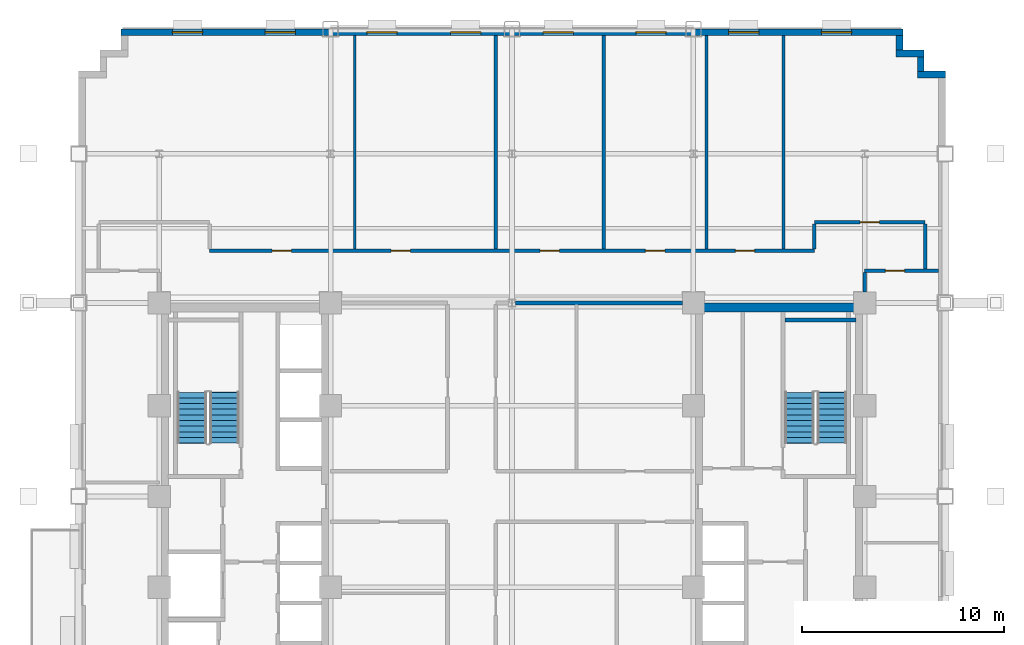
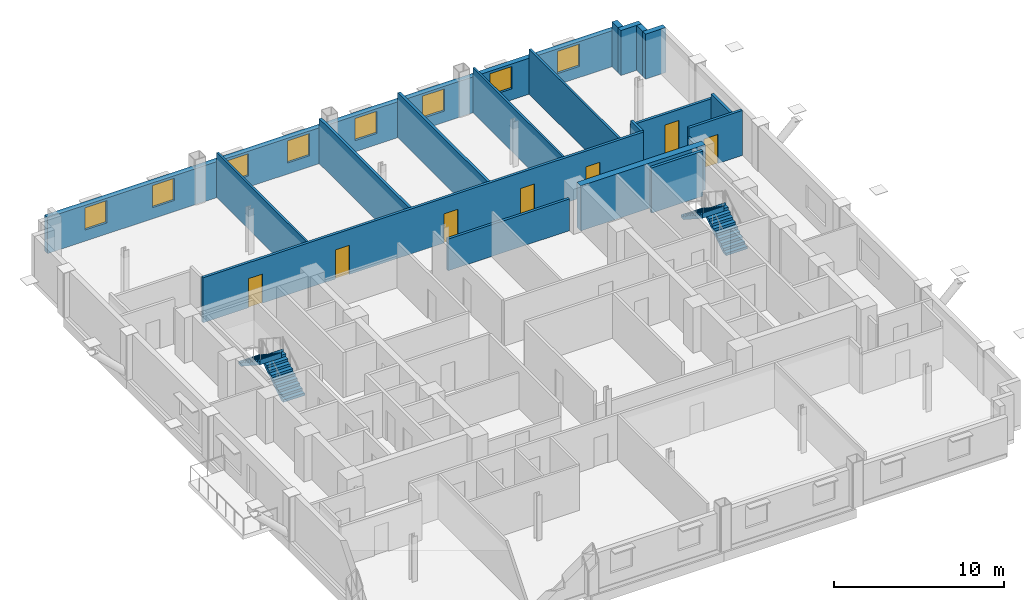
# One storey, part 9 of 13: 19 walls, 8 windows, 7 doors, 4 stair flights, 15 openings, 2 elements without a shape of their own.
"""IFC4 building model written with IfcOpenShell, lengths in metres."""

from ifc_helpers import new_model, si_unit, direction, frame, frame_2d, origin, place, context, subcontext, project, spatial, polyline, rectangle, outline, extrude, source, transform, mapped, material, layer, layer_set, type_object, type_shapes, element, fill, aggregate, save


model = new_model("IFC4")

# Units and contexts
model_context = context("Model", 3, precision=1e-05, world=origin(), true_north=direction((0.0, 1.0)))
body_context = subcontext(model_context, "Body", "Model", "MODEL_VIEW")
ifc_project = project(units=[si_unit("LENGTHUNIT", "METRE"), si_unit("AREAUNIT", "SQUARE_METRE"), si_unit("VOLUMEUNIT", "CUBIC_METRE"), si_unit("PLANEANGLEUNIT", "RADIAN"), si_unit("MASSUNIT", "GRAM", prefix="KILO")], contexts=[model_context])

# Site, building, storey
site_placement = place(None, origin())
site = spatial("IfcSite", under=ifc_project, at=site_placement, CompositionType="ELEMENT")
building_placement = place(site_placement, origin())
building = spatial("IfcBuilding", under=site, at=building_placement, Name="Nuvemarco Arch Tower", CompositionType="ELEMENT")
storey_placement = place(building_placement, frame((0.0, 0.0, 82.35009765625)))
storey = spatial("IfcBuildingStorey", under=building, at=storey_placement, Name="L21", CompositionType="ELEMENT", Elevation=82.35009765625)

# Walls
ifc_material_1 = material(Name="Precast concrete C45/55", Category="concrete")
ifc_layer_1 = layer(ifc_material_1, 0.340087890625, Name="EW-LOW-340")
ifc_layer_set_1 = layer_set([ifc_layer_1], Name="Precast concrete C45/55")
wall_type_1 = type_object("IfcWallType", Name="EW-LOW-340", PredefinedType="STANDARD", material=ifc_layer_set_1)
wall_1_placement = place(storey_placement, frame((20.110107421875, 20.929931640625, 0.0), z_axis=(0.0, 0.0, 1.0), x_axis=(1.0, 0.0, 0.0)))
element("IfcWall", 1, at=wall_1_placement, inside=storey, type_object=wall_type_1, Name="L21 exterior precast facade wall 7", PredefinedType="STANDARD", context=body_context, shape_type="SweptSolid", body=[
    extrude(rectangle(XDim=1.389892578125, YDim=0.340087890625, at=frame_2d((0.69482421875, 0.0))), origin(), (0.0, 0.0, 1.0), 3.239990234375),
])
wall_2_placement = place(storey_placement, frame((20.280029296875, 21.095947265625, 0.0), z_axis=(0.0, 0.0, 1.0), x_axis=(0.0, 1.0, 0.0)))
element("IfcWall", 2, at=wall_2_placement, inside=storey, type_object=wall_type_1, Name="L21 exterior precast facade wall 8", PredefinedType="STANDARD", context=body_context, shape_type="SweptSolid", body=[
    extrude(rectangle(XDim=0.718017578125, YDim=0.340087890625, at=frame_2d((0.35888671875, 0.0))), origin(), (0.0, 0.0, 1.0), 3.239990234375),
])
wall_3_placement = place(storey_placement, frame((19.06005859375, 21.97998046875, 0.0), z_axis=(0.0, 0.0, 1.0), x_axis=(1.0, 0.0, 0.0)))
element("IfcWall", 3, at=wall_3_placement, inside=storey, type_object=wall_type_1, Name="L21 exterior precast facade wall 9", PredefinedType="STANDARD", context=body_context, shape_type="SweptSolid", body=[
    extrude(rectangle(XDim=1.389892578125, YDim=0.340087890625, at=frame_2d((0.69482421875, 0.0))), origin(), (0.0, 0.0, 1.0), 3.239990234375),
])
wall_4_placement = place(storey_placement, frame((19.22998046875, 22.14599609375, 0.0), z_axis=(0.0, 0.0, 1.0), x_axis=(0.0, 1.0, 0.0)))
element("IfcWall", 4, at=wall_4_placement, inside=storey, type_object=wall_type_1, Name="L21 exterior precast facade wall 10", PredefinedType="STANDARD", context=body_context, shape_type="SweptSolid", body=[
    extrude(rectangle(XDim=0.718017578125, YDim=0.340087890625, at=frame_2d((0.35888671875, 0.0))), origin(), (0.0, 0.0, 1.0), 3.239990234375),
])

# Wall, openings, windows
wall_5_placement = place(storey_placement, frame((-19.39990234375, 23.030029296875, 0.0), z_axis=(0.0, 0.0, 1.0), x_axis=(1.0, 0.0, 0.0)))
wall_5 = element("IfcWall", 5, at=wall_5_placement, inside=storey, type_object=wall_type_1, Name="L21 exterior precast facade wall 11", PredefinedType="STANDARD", context=body_context, shape_type="SweptSolid", body=[
    extrude(rectangle(XDim=38.7998046875, YDim=0.340087890625, at=frame_2d((19.39990234375, 0.0))), origin(), (0.0, 0.0, 1.0), 2.5849609375),
])
opening_1_placement = place(wall_5_placement, frame((2.550048828125, 0.0, 0.800048828125)))
opening_1 = element("IfcOpeningElement", 6, at=opening_1_placement, cuts=wall_5, Name="Opening WN-11", PredefinedType="OPENING", context=body_context, shape_type="SweptSolid", body=[
    extrude(rectangle(XDim=1.5, YDim=1.60009765625, at=frame_2d((0.75, 0.800048828125))), frame((0.0, 0.179931640625, 0.0), z_axis=(0.0, -1.0, 0.0), x_axis=(1.0, 0.0, 0.0)), (0.0, 0.0, 1.0), 0.360107421875),
])
opening_2_placement = place(wall_5_placement, frame((7.14990234375, 0.0, 0.800048828125)))
opening_2 = element("IfcOpeningElement", 7, at=opening_2_placement, cuts=wall_5, Name="Opening WN-11", PredefinedType="OPENING", context=body_context, shape_type="SweptSolid", body=[
    extrude(rectangle(XDim=1.5, YDim=1.60009765625, at=frame_2d((0.75, 0.800048828125))), frame((0.0, 0.179931640625, 0.0), z_axis=(0.0, -1.0, 0.0), x_axis=(1.0, 0.0, 0.0)), (0.0, 0.0, 1.0), 0.360107421875),
])
opening_3_placement = place(wall_5_placement, frame((12.199951171875, 0.0, 0.800048828125)))
opening_3 = element("IfcOpeningElement", 8, at=opening_3_placement, cuts=wall_5, Name="Opening WN-11", PredefinedType="OPENING", context=body_context, shape_type="SweptSolid", body=[
    extrude(rectangle(XDim=1.5, YDim=1.60009765625, at=frame_2d((0.75, 0.800048828125))), frame((0.0, 0.179931640625, 0.0), z_axis=(0.0, -1.0, 0.0), x_axis=(1.0, 0.0, 0.0)), (0.0, 0.0, 1.0), 0.360107421875),
])
opening_4_placement = place(wall_5_placement, frame((16.35009765625, 0.0, 0.800048828125)))
opening_4 = element("IfcOpeningElement", 9, at=opening_4_placement, cuts=wall_5, Name="Opening WN-11", PredefinedType="OPENING", context=body_context, shape_type="SweptSolid", body=[
    extrude(rectangle(XDim=1.5, YDim=1.60009765625, at=frame_2d((0.75, 0.800048828125))), frame((0.0, 0.179931640625, 0.0), z_axis=(0.0, -1.0, 0.0), x_axis=(1.0, 0.0, 0.0)), (0.0, 0.0, 1.0), 0.360107421875),
])
opening_5_placement = place(wall_5_placement, frame((20.949951171875, 0.0, 0.800048828125)))
opening_5 = element("IfcOpeningElement", 10, at=opening_5_placement, cuts=wall_5, Name="Opening WN-11", PredefinedType="OPENING", context=body_context, shape_type="SweptSolid", body=[
    extrude(rectangle(XDim=1.5, YDim=1.60009765625, at=frame_2d((0.75, 0.800048828125))), frame((0.0, 0.179931640625, 0.0), z_axis=(0.0, -1.0, 0.0), x_axis=(1.0, 0.0, 0.0)), (0.0, 0.0, 1.0), 0.360107421875),
])
opening_6_placement = place(wall_5_placement, frame((25.550048828125, 0.0, 0.800048828125)))
opening_6 = element("IfcOpeningElement", 11, at=opening_6_placement, cuts=wall_5, Name="Opening WN-11", PredefinedType="OPENING", context=body_context, shape_type="SweptSolid", body=[
    extrude(rectangle(XDim=1.5, YDim=1.60009765625, at=frame_2d((0.75, 0.800048828125))), frame((0.0, 0.179931640625, 0.0), z_axis=(0.0, -1.0, 0.0), x_axis=(1.0, 0.0, 0.0)), (0.0, 0.0, 1.0), 0.360107421875),
])
opening_7_placement = place(wall_5_placement, frame((30.14990234375, 0.0, 0.800048828125)))
opening_7 = element("IfcOpeningElement", 12, at=opening_7_placement, cuts=wall_5, Name="Opening WN-11", PredefinedType="OPENING", context=body_context, shape_type="SweptSolid", body=[
    extrude(rectangle(XDim=1.5, YDim=1.60009765625, at=frame_2d((0.75, 0.800048828125))), frame((0.0, 0.179931640625, 0.0), z_axis=(0.0, -1.0, 0.0), x_axis=(1.0, 0.0, 0.0)), (0.0, 0.0, 1.0), 0.360107421875),
])
opening_8_placement = place(wall_5_placement, frame((34.75, 0.0, 0.800048828125)))
opening_8 = element("IfcOpeningElement", 13, at=opening_8_placement, cuts=wall_5, Name="Opening WN-11", PredefinedType="OPENING", context=body_context, shape_type="SweptSolid", body=[
    extrude(rectangle(XDim=1.5, YDim=1.60009765625, at=frame_2d((0.75, 0.800048828125))), frame((0.0, 0.179931640625, 0.0), z_axis=(0.0, -1.0, 0.0), x_axis=(1.0, 0.0, 0.0)), (0.0, 0.0, 1.0), 0.360107421875),
])
ifc_material_2 = material(Name="Insulated solar-control glass", Category="glass")
window_type = type_object("IfcWindowType", Name="WN-STEP-1500x1850", PartitioningType="SINGLE_PANEL", PredefinedType="WINDOW", material=ifc_material_2)
shared_shape_1 = source(origin(), body_context, "Body", "SweptSolid", [
    extrude(rectangle(XDim=1.5, YDim=1.60009765625, at=frame_2d((0.75, 0.800048828125))), frame((0.0, 0.030029296875, 0.0), z_axis=(0.0, -1.0, 0.0), x_axis=(1.0, 0.0, 0.0)), (0.0, 0.0, 1.0), 0.06005859375),
])
type_shapes(window_type, [shared_shape_1])
window_1_placement = place(opening_1_placement, origin())
window_1 = element("IfcWindow", 14, at=window_1_placement, inside=storey, type_object=window_type, Name="L21 punched facade window 1", OverallHeight=1.60009765625, OverallWidth=1.5, PartitioningType="SINGLE_PANEL", PredefinedType="WINDOW", context=body_context, shape_type="MappedRepresentation", body=[
    mapped(shared_shape_1, transform((0.0, 0.0, 0.0), scale=1.0)),
])
fill(opening_1, window_1)
window_2_placement = place(opening_2_placement, origin())
window_2 = element("IfcWindow", 15, at=window_2_placement, inside=storey, type_object=window_type, Name="L21 punched facade window 2", OverallHeight=1.60009765625, OverallWidth=1.5, PartitioningType="SINGLE_PANEL", PredefinedType="WINDOW", context=body_context, shape_type="MappedRepresentation", body=[
    mapped(shared_shape_1, transform((0.0, 0.0, 0.0), scale=1.0)),
])
fill(opening_2, window_2)
window_3_placement = place(opening_3_placement, origin())
window_3 = element("IfcWindow", 16, at=window_3_placement, inside=storey, type_object=window_type, Name="L21 punched facade window 3", OverallHeight=1.60009765625, OverallWidth=1.5, PartitioningType="SINGLE_PANEL", PredefinedType="WINDOW", context=body_context, shape_type="MappedRepresentation", body=[
    mapped(shared_shape_1, transform((0.0, 0.0, 0.0), scale=1.0)),
])
fill(opening_3, window_3)
window_4_placement = place(opening_4_placement, origin())
window_4 = element("IfcWindow", 17, at=window_4_placement, inside=storey, type_object=window_type, Name="L21 punched facade window 4", OverallHeight=1.60009765625, OverallWidth=1.5, PartitioningType="SINGLE_PANEL", PredefinedType="WINDOW", context=body_context, shape_type="MappedRepresentation", body=[
    mapped(shared_shape_1, transform((0.0, 0.0, 0.0), scale=1.0)),
])
fill(opening_4, window_4)
window_5_placement = place(opening_5_placement, origin())
window_5 = element("IfcWindow", 18, at=window_5_placement, inside=storey, type_object=window_type, Name="L21 punched facade window 5", OverallHeight=1.60009765625, OverallWidth=1.5, PartitioningType="SINGLE_PANEL", PredefinedType="WINDOW", context=body_context, shape_type="MappedRepresentation", body=[
    mapped(shared_shape_1, transform((0.0, 0.0, 0.0), scale=1.0)),
])
fill(opening_5, window_5)
window_6_placement = place(opening_6_placement, origin())
window_6 = element("IfcWindow", 19, at=window_6_placement, inside=storey, type_object=window_type, Name="L21 punched facade window 6", OverallHeight=1.60009765625, OverallWidth=1.5, PartitioningType="SINGLE_PANEL", PredefinedType="WINDOW", context=body_context, shape_type="MappedRepresentation", body=[
    mapped(shared_shape_1, transform((0.0, 0.0, 0.0), scale=1.0)),
])
fill(opening_6, window_6)
window_7_placement = place(opening_7_placement, origin())
window_7 = element("IfcWindow", 20, at=window_7_placement, inside=storey, type_object=window_type, Name="L21 punched facade window 7", OverallHeight=1.60009765625, OverallWidth=1.5, PartitioningType="SINGLE_PANEL", PredefinedType="WINDOW", context=body_context, shape_type="MappedRepresentation", body=[
    mapped(shared_shape_1, transform((0.0, 0.0, 0.0), scale=1.0)),
])
fill(opening_7, window_7)
window_8_placement = place(opening_8_placement, origin())
window_8 = element("IfcWindow", 21, at=window_8_placement, inside=storey, type_object=window_type, Name="L21 punched facade window 8", OverallHeight=1.60009765625, OverallWidth=1.5, PartitioningType="SINGLE_PANEL", PredefinedType="WINDOW", context=body_context, shape_type="MappedRepresentation", body=[
    mapped(shared_shape_1, transform((0.0, 0.0, 0.0), scale=1.0)),
])
fill(opening_8, window_8)

# Walls
ifc_material_3 = material(Name="Concrete C60/75", Category="concrete")
ifc_layer_2 = layer(ifc_material_3, 0.449951171875, Name="WL-CORE-450")
ifc_layer_set_2 = layer_set([ifc_layer_2], Name="Concrete C60/75")
wall_type_2 = type_object("IfcWallType", Name="WL-CORE-450", PredefinedType="SHEAR", material=ifc_layer_set_2)
wall_6_placement = place(storey_placement, frame((9.0, 9.375, 0.0), z_axis=(0.0, 0.0, 1.0), x_axis=(1.0, 0.0, 0.0)))
element("IfcWall", 22, at=wall_6_placement, inside=storey, type_object=wall_type_2, Name="L21 E-core shear wall N", PredefinedType="SHEAR", context=body_context, shape_type="SweptSolid", body=[
    extrude(rectangle(XDim=8.5, YDim=0.449951171875, at=frame_2d((4.25, 0.0))), origin(), (0.0, 0.0, 1.0), 3.25),
])
ifc_material_4 = material(Name="Fire-rated gypsum drywall partition")
ifc_layer_3 = layer(ifc_material_4, 0.179931640625, Name="WL-CORR-180")
ifc_layer_set_3 = layer_set([ifc_layer_3], Name="Fire-rated gypsum drywall partition")
wall_type_3 = type_object("IfcWallType", Name="WL-CORR-180", PredefinedType="PARTITIONING", material=ifc_layer_set_3)
wall_7_placement = place(storey_placement, frame((0.176025390625, 9.60009765625, 0.0), z_axis=(0.0, 0.0, 1.0), x_axis=(1.0, 0.0, 0.0)))
element("IfcWall", 23, at=wall_7_placement, inside=storey, type_object=wall_type_3, Name="L21 interior wall IW-L21-019", PredefinedType="PARTITIONING", context=body_context, shape_type="SweptSolid", body=[
    extrude(rectangle(XDim=8.278076171875, YDim=0.179931640625, at=frame_2d((4.13916015625, 0.0))), origin(), (0.0, 0.0, 1.0), 2.284912109375),
])

# Wall, opening, door
wall_8_placement = place(storey_placement, frame((17.5, 11.199951171875, 0.0), z_axis=(0.0, 0.0, 1.0), x_axis=(1.0, 0.0, 0.0)))
wall_8 = element("IfcWall", 24, at=wall_8_placement, inside=storey, type_object=wall_type_3, Name="L21 interior wall IW-L21-021", PredefinedType="PARTITIONING", context=body_context, shape_type="SweptSolid", body=[
    extrude(rectangle(XDim=3.659912109375, YDim=0.179931640625, at=frame_2d((1.830078125, 0.0))), origin(), (0.0, 0.0, 1.0), 3.239990234375),
])
opening_9_placement = place(wall_8_placement, frame((1.02001953125, 0.0, 0.0)))
opening_9 = element("IfcOpeningElement", 25, at=opening_9_placement, cuts=wall_8, Name="Opening FD-5", PredefinedType="OPENING", context=body_context, shape_type="SweptSolid", body=[
    extrude(rectangle(XDim=0.9599609375, YDim=2.10009765625, at=frame_2d((0.47998046875, 1.050048828125))), frame((0.0, 0.099853515625, 0.0), z_axis=(0.0, -1.0, 0.0), x_axis=(1.0, 0.0, 0.0)), (0.0, 0.0, 1.0), 0.199951171875),
])
ifc_material_5 = material(Name="Timber fire door", Category="wood")
door_type = type_object("IfcDoorType", Name="DR-CORR-FD", OperationType="NOTDEFINED", PredefinedType="DOOR", material=ifc_material_5)
shared_shape_2 = source(origin(), body_context, "Body", "SweptSolid", [
    extrude(rectangle(XDim=0.9599609375, YDim=2.10009765625, at=frame_2d((0.47998046875, 1.050048828125))), frame((0.0, 0.02490234375, 0.0), z_axis=(0.0, -1.0, 0.0), x_axis=(1.0, 0.0, 0.0)), (0.0, 0.0, 1.0), 0.050048828125),
])
type_shapes(door_type, [shared_shape_2])
door_1_placement = place(opening_9_placement, origin())
door_1 = element("IfcDoor", 26, at=door_1_placement, inside=storey, type_object=door_type, Name="L21 door DR-L21-E_2", OperationType="SINGLE_SWING_RIGHT", OverallHeight=2.10009765625, OverallWidth=0.9599609375, PredefinedType="DOOR", context=body_context, shape_type="MappedRepresentation", body=[
    mapped(shared_shape_2, transform((0.0, 0.0, 0.0), scale=1.0)),
])
fill(opening_9, door_1)

# Wall, openings, doors
wall_9_placement = place(storey_placement, frame((-15.0, 12.199951171875, 0.0), z_axis=(0.0, 0.0, 1.0), x_axis=(1.0, 0.0, 0.0)))
wall_9 = element("IfcWall", 27, at=wall_9_placement, inside=storey, type_object=wall_type_3, Name="L21 interior wall IW-L21-022", PredefinedType="PARTITIONING", context=body_context, shape_type="SweptSolid", body=[
    extrude(rectangle(XDim=30.0, YDim=0.179931640625, at=frame_2d((15.0, 0.0))), origin(), (0.0, 0.0, 1.0), 3.239990234375),
])
opening_10_placement = place(wall_9_placement, frame((3.10009765625, 0.0, 0.0)))
opening_10 = element("IfcOpeningElement", 28, at=opening_10_placement, cuts=wall_9, Name="Opening FD-5", PredefinedType="OPENING", context=body_context, shape_type="SweptSolid", body=[
    extrude(rectangle(XDim=0.9599609375, YDim=2.10009765625, at=frame_2d((0.47998046875, 1.050048828125))), frame((0.0, 0.099853515625, 0.0), z_axis=(0.0, -1.0, 0.0), x_axis=(1.0, 0.0, 0.0)), (0.0, 0.0, 1.0), 0.199951171875),
])
opening_11_placement = place(wall_9_placement, frame((16.39501953125, 0.0, 0.0)))
opening_11 = element("IfcOpeningElement", 29, at=opening_11_placement, cuts=wall_9, Name="Opening FD-5", PredefinedType="OPENING", context=body_context, shape_type="SweptSolid", body=[
    extrude(rectangle(XDim=0.9599609375, YDim=2.10009765625, at=frame_2d((0.47998046875, 1.050048828125))), frame((0.0, 0.099853515625, 0.0), z_axis=(0.0, -1.0, 0.0), x_axis=(1.0, 0.0, 0.0)), (0.0, 0.0, 1.0), 0.199951171875),
])
opening_12_placement = place(wall_9_placement, frame((21.6201171875, 0.0, 0.0)))
opening_12 = element("IfcOpeningElement", 30, at=opening_12_placement, cuts=wall_9, Name="Opening FD-5", PredefinedType="OPENING", context=body_context, shape_type="SweptSolid", body=[
    extrude(rectangle(XDim=0.9599609375, YDim=2.10009765625, at=frame_2d((0.47998046875, 1.050048828125))), frame((0.0, 0.099853515625, 0.0), z_axis=(0.0, -1.0, 0.0), x_axis=(1.0, 0.0, 0.0)), (0.0, 0.0, 1.0), 0.199951171875),
])
opening_13_placement = place(wall_9_placement, frame((9.0, 0.0, 0.0)))
opening_13 = element("IfcOpeningElement", 31, at=opening_13_placement, cuts=wall_9, Name="Opening FD-5", PredefinedType="OPENING", context=body_context, shape_type="SweptSolid", body=[
    extrude(rectangle(XDim=0.9599609375, YDim=2.10009765625, at=frame_2d((0.47998046875, 1.050048828125))), frame((0.0, 0.099853515625, 0.0), z_axis=(0.0, -1.0, 0.0), x_axis=(1.0, 0.0, 0.0)), (0.0, 0.0, 1.0), 0.199951171875),
])
opening_14_placement = place(wall_9_placement, frame((26.080078125, 0.0, 0.0)))
opening_14 = element("IfcOpeningElement", 32, at=opening_14_placement, cuts=wall_9, Name="Opening FD-5", PredefinedType="OPENING", context=body_context, shape_type="SweptSolid", body=[
    extrude(rectangle(XDim=0.9599609375, YDim=2.10009765625, at=frame_2d((0.47998046875, 1.050048828125))), frame((0.0, 0.099853515625, 0.0), z_axis=(0.0, -1.0, 0.0), x_axis=(1.0, 0.0, 0.0)), (0.0, 0.0, 1.0), 0.199951171875),
])
door_2_placement = place(opening_10_placement, origin())
door_2 = element("IfcDoor", 33, at=door_2_placement, inside=storey, type_object=door_type, Name="L21 door DR-L21-N_1", OperationType="SINGLE_SWING_LEFT", OverallHeight=2.10009765625, OverallWidth=0.9599609375, PredefinedType="DOOR", context=body_context, shape_type="MappedRepresentation", body=[
    mapped(shared_shape_2, transform((0.0, 0.0, 0.0), scale=1.0)),
])
fill(opening_10, door_2)
door_3_placement = place(opening_11_placement, origin())
door_3 = element("IfcDoor", 34, at=door_3_placement, inside=storey, type_object=door_type, Name="L21 door DR-L21-N_3", OperationType="SINGLE_SWING_LEFT", OverallHeight=2.10009765625, OverallWidth=0.9599609375, PredefinedType="DOOR", context=body_context, shape_type="MappedRepresentation", body=[
    mapped(shared_shape_2, transform((0.0, 0.0, 0.0), scale=1.0)),
])
fill(opening_11, door_3)
door_4_placement = place(opening_12_placement, origin())
door_4 = element("IfcDoor", 35, at=door_4_placement, inside=storey, type_object=door_type, Name="L21 door DR-L21-N_4", OperationType="SINGLE_SWING_LEFT", OverallHeight=2.10009765625, OverallWidth=0.9599609375, PredefinedType="DOOR", context=body_context, shape_type="MappedRepresentation", body=[
    mapped(shared_shape_2, transform((0.0, 0.0, 0.0), scale=1.0)),
])
fill(opening_12, door_4)
door_5_placement = place(opening_13_placement, origin())
door_5 = element("IfcDoor", 36, at=door_5_placement, inside=storey, type_object=door_type, Name="L21 door DR-L21-N_2", OperationType="SINGLE_SWING_RIGHT", OverallHeight=2.10009765625, OverallWidth=0.9599609375, PredefinedType="DOOR", context=body_context, shape_type="MappedRepresentation", body=[
    mapped(shared_shape_2, transform((0.0, 0.0, 0.0), scale=1.0)),
])
fill(opening_13, door_5)
door_6_placement = place(opening_14_placement, origin())
door_6 = element("IfcDoor", 37, at=door_6_placement, inside=storey, type_object=door_type, Name="L21 door DR-L21-N_5", OperationType="SINGLE_SWING_LEFT", OverallHeight=2.10009765625, OverallWidth=0.9599609375, PredefinedType="DOOR", context=body_context, shape_type="MappedRepresentation", body=[
    mapped(shared_shape_2, transform((0.0, 0.0, 0.0), scale=1.0)),
])
fill(opening_14, door_6)

# Wall, opening, door
wall_10_placement = place(storey_placement, frame((15.0, 13.60009765625, 0.0), z_axis=(0.0, 0.0, 1.0), x_axis=(1.0, 0.0, 0.0)))
wall_10 = element("IfcWall", 38, at=wall_10_placement, inside=storey, type_object=wall_type_3, Name="L21 interior wall IW-L21-024", PredefinedType="PARTITIONING", context=body_context, shape_type="SweptSolid", body=[
    extrude(rectangle(XDim=5.5, YDim=0.179931640625, at=frame_2d((2.75, 0.0))), origin(), (0.0, 0.0, 1.0), 2.8779296875),
])
opening_15_placement = place(wall_10_placement, frame((2.27001953125, 0.0, 0.0)))
opening_15 = element("IfcOpeningElement", 39, at=opening_15_placement, cuts=wall_10, Name="Opening FD-5", PredefinedType="OPENING", context=body_context, shape_type="SweptSolid", body=[
    extrude(rectangle(XDim=0.9599609375, YDim=2.10009765625, at=frame_2d((0.47998046875, 1.050048828125))), frame((0.0, 0.099853515625, 0.0), z_axis=(0.0, -1.0, 0.0), x_axis=(1.0, 0.0, 0.0)), (0.0, 0.0, 1.0), 0.199951171875),
])
door_7_placement = place(opening_15_placement, origin())
door_7 = element("IfcDoor", 40, at=door_7_placement, inside=storey, type_object=door_type, Name="L21 door DR-L21-N_6", OperationType="SINGLE_SWING_RIGHT", OverallHeight=2.10009765625, OverallWidth=0.9599609375, PredefinedType="DOOR", context=body_context, shape_type="MappedRepresentation", body=[
    mapped(shared_shape_2, transform((0.0, 0.0, 0.0), scale=1.0)),
])
fill(opening_15, door_7)

# Walls
for number, where, z_axis, x_axis, name in (
    (41, (-0.800048828125, 12.285888671875, 0.0), (0.0, 0.0, 1.0), (0.0, 1.0, 0.0), "L21 interior wall IW-L21-041"),
    (42, (4.550048828125, 12.285888671875, 0.0), (0.0, 0.0, 1.0), (0.0, 1.0, 0.0), "L21 interior wall IW-L21-043"),
):
    element("IfcWall", number, at=place(storey_placement, frame(where, z_axis=z_axis, x_axis=x_axis)), inside=storey, type_object=wall_type_3, Name=name, PredefinedType="PARTITIONING", context=body_context, shape_type="SweptSolid", body=[
        extrude(rectangle(XDim=10.57421875, YDim=0.179931640625, at=frame_2d((5.287109375, 0.0))), origin(), (0.0, 0.0, 1.0), 3.239990234375),
    ])
wall_11_placement = place(storey_placement, frame((15.0, 12.285888671875, 0.0), z_axis=(0.0, 0.0, 1.0), x_axis=(0.0, 1.0, 0.0)))
element("IfcWall", 43, at=wall_11_placement, inside=storey, type_object=wall_type_3, Name="L21 interior wall IW-L21-049", PredefinedType="PARTITIONING", context=body_context, shape_type="SweptSolid", body=[
    extrude(rectangle(XDim=1.22802734375, YDim=0.179931640625, at=frame_2d((0.614013671875, 0.0))), origin(), (0.0, 0.0, 1.0), 3.239990234375),
])
wall_12_placement = place(storey_placement, frame((17.5, 10.14599609375, 0.0), z_axis=(0.0, 0.0, 1.0), x_axis=(0.0, 1.0, 0.0)))
element("IfcWall", 44, at=wall_12_placement, inside=storey, type_object=wall_type_3, Name="L21 interior wall IW-L21-051", PredefinedType="PARTITIONING", context=body_context, shape_type="SweptSolid", body=[
    extrude(rectangle(XDim=0.968017578125, YDim=0.179931640625, at=frame_2d((0.48388671875, 0.0))), origin(), (0.0, 0.0, 1.0), 2.617919921875),
])
wall_13_placement = place(storey_placement, frame((20.5, 11.285888671875, 0.0), z_axis=(0.0, 0.0, 1.0), x_axis=(0.0, 1.0, 0.0)))
element("IfcWall", 45, at=wall_13_placement, inside=storey, type_object=wall_type_3, Name="L21 interior wall IW-L21-053", PredefinedType="PARTITIONING", context=body_context, shape_type="SweptSolid", body=[
    extrude(rectangle(XDim=2.22802734375, YDim=0.179931640625, at=frame_2d((1.114013671875, 0.0))), origin(), (0.0, 0.0, 1.0), 3.239990234375),
])
ifc_material_6 = material(Name="Gypsum plasterboard partition")
ifc_layer_4 = layer(ifc_material_6, 0.139892578125, Name="WL-ROOM-140")
ifc_layer_set_4 = layer_set([ifc_layer_4], Name="Gypsum plasterboard partition")
wall_type_4 = type_object("IfcWallType", Name="WL-ROOM-140", PredefinedType="PARTITIONING", material=ifc_layer_set_4)
for number, where, z_axis, x_axis, name in (
    (46, (-7.800048828125, 12.285888671875, 0.0), (0.0, 0.0, 1.0), (0.0, 1.0, 0.0), "L21 interior wall IW-L21-034"),
    (47, (9.64990234375, 12.285888671875, 0.0), (0.0, 0.0, 1.0), (0.0, 1.0, 0.0), "L21 interior wall IW-L21-045"),
    (48, (13.469970703125, 12.285888671875, 0.0), (0.0, 0.0, 1.0), (0.0, 1.0, 0.0), "L21 interior wall IW-L21-047"),
):
    element("IfcWall", number, at=place(storey_placement, frame(where, z_axis=z_axis, x_axis=x_axis)), inside=storey, type_object=wall_type_4, Name=name, PredefinedType="PARTITIONING", context=body_context, shape_type="SweptSolid", body=[
        extrude(rectangle(XDim=10.57421875, YDim=0.139892578125, at=frame_2d((5.287109375, 0.0))), origin(), (0.0, 0.0, 1.0), 3.239990234375),
    ])
ifc_material_7 = material(Name="Concrete C50/60", Category="concrete")
ifc_layer_5 = layer(ifc_material_7, 0.199951171875, Name="WL-SHAFT-220")
ifc_layer_set_5 = layer_set([ifc_layer_5], Name="Concrete C50/60")
wall_type_5 = type_object("IfcWallType", Name="WL-SHAFT-220", PredefinedType="SHEAR", material=ifc_layer_set_5)
wall_14_placement = place(storey_placement, frame((13.534912109375, 8.75, 0.0), z_axis=(0.0, 0.0, 1.0), x_axis=(1.0, 0.0, 0.0)))
element("IfcWall", 49, at=wall_14_placement, inside=storey, type_object=wall_type_5, Name="L21 structural shaft wall SW-L21-E-ST2N", PredefinedType="SHEAR", context=body_context, shape_type="SweptSolid", body=[
    extrude(rectangle(XDim=3.52001953125, YDim=0.199951171875, at=frame_2d((1.760009765625, 0.0))), origin(), (0.0, 0.0, 1.0), 3.25),
])

# Stair, stair flights
stair_type = type_object("IfcStairType", Name="ST-CORE-20R", PredefinedType="HALF_TURN_STAIR", material=ifc_material_1)
stair_1_placement = place(storey_placement, origin())
stair_1 = element("IfcStair", 50, at=stair_1_placement, inside=storey, type_object=stair_type, Name="L21 Protected Exit Stair ST-1", PredefinedType="HALF_TURN_STAIR")
stair_flight_type = type_object("IfcStairFlightType", Name="SF-CORE-20R", PredefinedType="STRAIGHT", material=ifc_material_1)
stair_flight_1_placement = place(storey_placement, frame((-14.264892578125, 2.64990234375, 0.0), z_axis=(0.0, 0.0, 1.0), x_axis=(0.0, 1.0, 0.0)))
stair_flight_1 = element("IfcStairFlight", 51, at=stair_flight_1_placement, type_object=stair_flight_type, Name="ST-20R flight 1", NumberOfRisers=10, NumberOfTreads=9, PredefinedType="STRAIGHT", RiserHeight=0.1825, TreadLength=0.28, context=body_context, shape_type="SweptSolid", body=[
    extrude(outline(polyline([(0.0, 0.0), (0.0, 0.1826171875), (0.280029296875, 0.1826171875), (0.280029296875, 0.364990234375), (0.56005859375, 0.364990234375), (0.56005859375, 0.547607421875), (0.840087890625, 0.547607421875), (0.840087890625, 0.72998046875), (1.1201171875, 0.72998046875), (1.1201171875, 0.91259765625), (1.39990234375, 0.91259765625), (1.39990234375, 1.094970703125), (1.679931640625, 1.094970703125), (1.679931640625, 1.277587890625), (1.9599609375, 1.277587890625), (1.9599609375, 1.4599609375), (2.239990234375, 1.4599609375), (2.239990234375, 1.642578125), (2.52001953125, 1.642578125), (2.52001953125, 1.824951171875), (2.5400390625, 1.824951171875), (2.5400390625, 1.45166015625), (0.312744140625, 0.0), (0.0, 0.0)])), frame((0.0, 0.72509765625, 0.0), z_axis=(0.0, -1.0, 0.0), x_axis=(1.0, 0.0, 0.0)), (0.0, 0.0, 1.0), 1.449951171875),
])
stair_flight_2_placement = place(storey_placement, frame((-15.875, 5.169921875, 1.824951171875), z_axis=(0.0, 0.0, 1.0), x_axis=(0.0, -1.0, 0.0)))
stair_flight_2 = element("IfcStairFlight", 52, at=stair_flight_2_placement, type_object=stair_flight_type, Name="ST-20R flight 2", NumberOfRisers=10, NumberOfTreads=9, PredefinedType="STRAIGHT", RiserHeight=0.1825, TreadLength=0.28, context=body_context, shape_type="SweptSolid", body=[
    extrude(outline(polyline([(0.0, 0.0), (0.0, 0.1826171875), (0.280029296875, 0.1826171875), (0.280029296875, 0.364990234375), (0.56005859375, 0.364990234375), (0.56005859375, 0.547607421875), (0.840087890625, 0.547607421875), (0.840087890625, 0.72998046875), (1.1201171875, 0.72998046875), (1.1201171875, 0.91259765625), (1.39990234375, 0.91259765625), (1.39990234375, 1.094970703125), (1.679931640625, 1.094970703125), (1.679931640625, 1.277587890625), (1.9599609375, 1.277587890625), (1.9599609375, 1.4599609375), (2.239990234375, 1.4599609375), (2.239990234375, 1.642578125), (2.52001953125, 1.642578125), (2.52001953125, 1.824951171875), (2.5400390625, 1.824951171875), (2.5400390625, 1.45166015625), (0.312744140625, 0.0), (0.0, 0.0)])), frame((0.0, 0.72509765625, 0.0), z_axis=(0.0, -1.0, 0.0), x_axis=(1.0, 0.0, 0.0)), (0.0, 0.0, 1.0), 1.449951171875),
])
aggregate(stair_1, [stair_flight_1, stair_flight_2])

stair_2_placement = place(storey_placement, origin())
stair_2 = element("IfcStair", 53, at=stair_2_placement, inside=storey, type_object=stair_type, Name="L21 Protected Exit Stair ST-2", PredefinedType="HALF_TURN_STAIR")
stair_flight_3_placement = place(storey_placement, frame((15.875, 2.64990234375, 0.0), z_axis=(0.0, 0.0, 1.0), x_axis=(0.0, 1.0, 0.0)))
stair_flight_3 = element("IfcStairFlight", 54, at=stair_flight_3_placement, type_object=stair_flight_type, Name="ST-20R flight 1", NumberOfRisers=10, NumberOfTreads=9, PredefinedType="STRAIGHT", RiserHeight=0.1825, TreadLength=0.28, context=body_context, shape_type="SweptSolid", body=[
    extrude(outline(polyline([(0.0, 0.0), (0.0, 0.1826171875), (0.280029296875, 0.1826171875), (0.280029296875, 0.364990234375), (0.56005859375, 0.364990234375), (0.56005859375, 0.547607421875), (0.840087890625, 0.547607421875), (0.840087890625, 0.72998046875), (1.1201171875, 0.72998046875), (1.1201171875, 0.91259765625), (1.39990234375, 0.91259765625), (1.39990234375, 1.094970703125), (1.679931640625, 1.094970703125), (1.679931640625, 1.277587890625), (1.9599609375, 1.277587890625), (1.9599609375, 1.4599609375), (2.239990234375, 1.4599609375), (2.239990234375, 1.642578125), (2.52001953125, 1.642578125), (2.52001953125, 1.824951171875), (2.5400390625, 1.824951171875), (2.5400390625, 1.45166015625), (0.312744140625, 0.0), (0.0, 0.0)])), frame((0.0, 0.72509765625, 0.0), z_axis=(0.0, -1.0, 0.0), x_axis=(1.0, 0.0, 0.0)), (0.0, 0.0, 1.0), 1.449951171875),
])
stair_flight_4_placement = place(storey_placement, frame((14.264892578125, 5.169921875, 1.824951171875), z_axis=(0.0, 0.0, 1.0), x_axis=(0.0, -1.0, 0.0)))
stair_flight_4 = element("IfcStairFlight", 55, at=stair_flight_4_placement, type_object=stair_flight_type, Name="ST-20R flight 2", NumberOfRisers=10, NumberOfTreads=9, PredefinedType="STRAIGHT", RiserHeight=0.1825, TreadLength=0.28, context=body_context, shape_type="SweptSolid", body=[
    extrude(outline(polyline([(0.0, 0.0), (0.0, 0.1826171875), (0.280029296875, 0.1826171875), (0.280029296875, 0.364990234375), (0.56005859375, 0.364990234375), (0.56005859375, 0.547607421875), (0.840087890625, 0.547607421875), (0.840087890625, 0.72998046875), (1.1201171875, 0.72998046875), (1.1201171875, 0.91259765625), (1.39990234375, 0.91259765625), (1.39990234375, 1.094970703125), (1.679931640625, 1.094970703125), (1.679931640625, 1.277587890625), (1.9599609375, 1.277587890625), (1.9599609375, 1.4599609375), (2.239990234375, 1.4599609375), (2.239990234375, 1.642578125), (2.52001953125, 1.642578125), (2.52001953125, 1.824951171875), (2.5400390625, 1.824951171875), (2.5400390625, 1.45166015625), (0.312744140625, 0.0), (0.0, 0.0)])), frame((0.0, 0.72509765625, 0.0), z_axis=(0.0, -1.0, 0.0), x_axis=(1.0, 0.0, 0.0)), (0.0, 0.0, 1.0), 1.449951171875),
])
aggregate(stair_2, [stair_flight_3, stair_flight_4])

save(model, "model.ifc")
